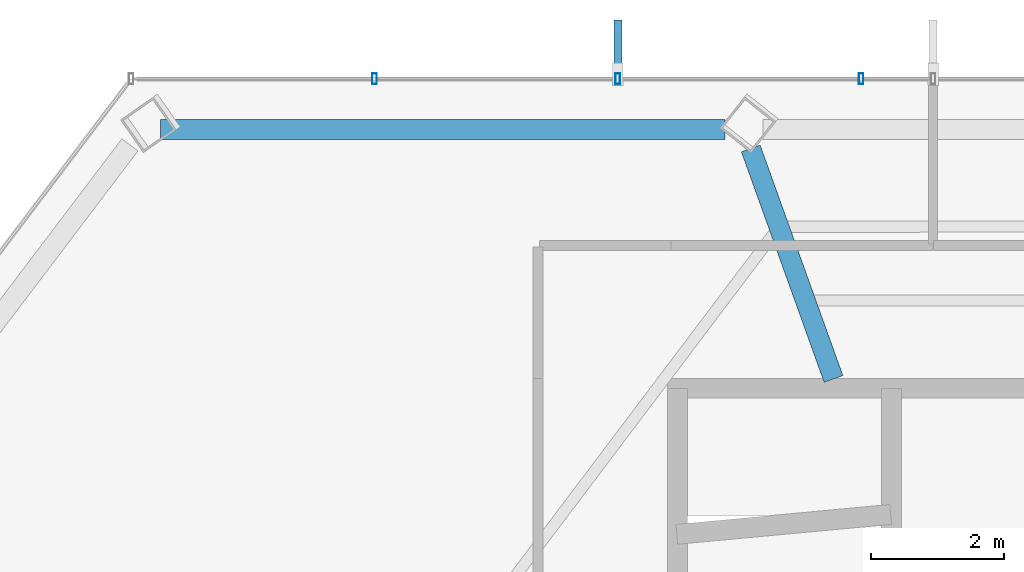
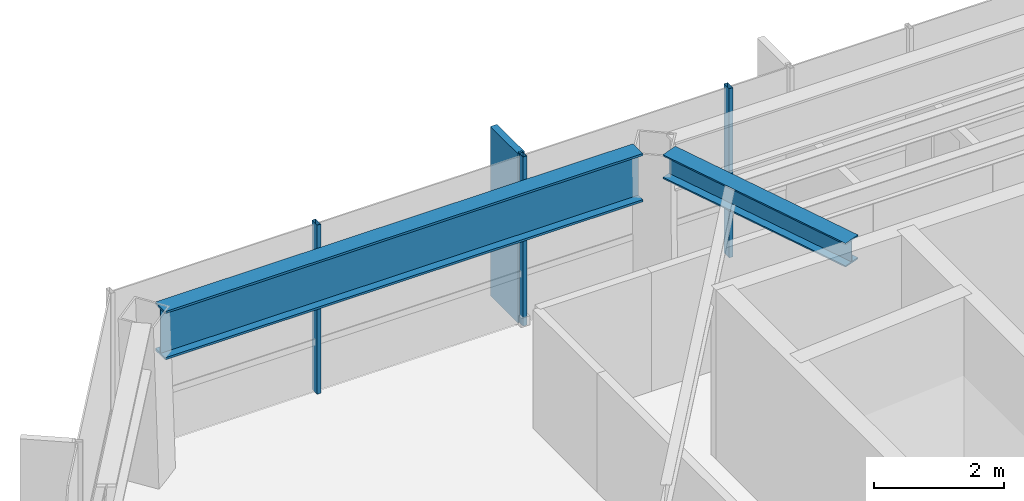
# One storey, part 11 of 25: 4 members, 2 beams, 1 element without a shape of its own.
"""IFC4 building model written with IfcOpenShell, lengths in metres."""

from ifc_helpers import new_model, si_unit, direction, frame, origin, origin_2d, place, context, subcontext, project, spatial, rectangle, hollow_rectangle, i_section, extrude, material, layer, layer_set, material_profile, profile_set, type_object, element, aggregate, save


model = new_model("IFC4")

# Units and contexts
model_context = context("Model", 3, precision=1e-05, world=origin(), true_north=direction((0.0, 1.0)))
body_context = subcontext(model_context, "Body", "Model", "MODEL_VIEW")
ifc_project = project(units=[si_unit("LENGTHUNIT", "METRE"), si_unit("AREAUNIT", "SQUARE_METRE"), si_unit("VOLUMEUNIT", "CUBIC_METRE"), si_unit("PLANEANGLEUNIT", "RADIAN"), si_unit("MASSUNIT", "GRAM", prefix="KILO")], contexts=[model_context])

# Site, building, storey
site_placement = place(None, origin())
site = spatial("IfcSite", under=ifc_project, at=site_placement, CompositionType="ELEMENT")
building_placement = place(site_placement, origin())
building = spatial("IfcBuilding", under=site, at=building_placement, Name="Zarrinselat Tower", CompositionType="ELEMENT")
storey_placement = place(building_placement, frame((0.0, 0.0, 246.159912109375)))
storey = spatial("IfcBuildingStorey", under=building, at=storey_placement, Name="L62", CompositionType="ELEMENT", Elevation=246.159912109375)

# Beams
ifc_material_1 = material(Name="Steel S355J2", Category="steel")
ifc_material_profile_1 = material_profile(ifc_material_1, i_section(OverallWidth=0.300048828125, OverallDepth=0.449951171875, WebThickness=0.013916015625, FlangeThickness=0.02587890625, at=origin_2d()), Name="HEB 450")
ifc_profile_set_1 = profile_set([ifc_material_profile_1], Name="Steel S355J2")
beam_type_1 = type_object("IfcBeamType", Name="BM-HEB450", PredefinedType="BEAM", material=ifc_profile_set_1)
beam_1_placement = place(storey_placement, frame((29.75390625, 47.01025390625, 2.955078125), z_axis=(0.337954990947, -0.941162272987, 0.0), x_axis=(0.941162272987, 0.337954990947, 0.0)))
element("IfcBeam", 1, at=beam_1_placement, inside=storey, type_object=beam_type_1, Name="L62 Radial Primary Girder RG04", PredefinedType="BEAM", context=body_context, shape_type="SweptSolid", body=[
    extrude(i_section(OverallWidth=0.300048828125, OverallDepth=0.449951171875, WebThickness=0.013916015625, FlangeThickness=0.02587890625, at=origin_2d()), origin(), (0.0, 0.0, 1.0), 3.687255859375),
])
ifc_material_2 = material(Name="Steel S460M", Category="steel")
ifc_material_profile_2 = material_profile(ifc_material_2, i_section(OverallWidth=0.302001953125, OverallDepth=0.909912109375, WebThickness=0.02099609375, FlangeThickness=0.0400390625, at=origin_2d()), Name="HEM 900")
ifc_profile_set_2 = profile_set([ifc_material_profile_2], Name="Steel S460M")
beam_type_2 = type_object("IfcBeamType", Name="BM-HEM900", PredefinedType="BEAM", material=ifc_profile_set_2)
beam_2_placement = place(storey_placement, frame((20.86474609375, 47.29443359375, 2.72509765625), z_axis=(1.0, 0.0, 0.0), x_axis=(0.0, 1.0, 0.0)))
element("IfcBeam", 2, at=beam_2_placement, inside=storey, type_object=beam_type_2, Name="L62 Perimeter Spandrel Girder SP04", PredefinedType="BEAM", context=body_context, shape_type="SweptSolid", body=[
    extrude(i_section(OverallWidth=0.302001953125, OverallDepth=0.909912109375, WebThickness=0.02099609375, FlangeThickness=0.0400390625, at=origin_2d()), origin(), (0.0, 0.0, 1.0), 8.4990234375),
])

# Curtain wall, members
ifc_material_3 = material(Name="Extruded Aluminium Alloy EN AW-6063 T6", Category="aluminium")
ifc_layer = layer(ifc_material_3, 0.169921875)
ifc_layer_set = layer_set([ifc_layer], Name="Extruded Aluminium Alloy EN AW-6063 T6")
curtain_wall_type = type_object("IfcCurtainWallType", Name="CWS-RES", PredefinedType="NOTDEFINED", material=ifc_layer_set)
curtain_wall_placement = place(storey_placement, origin())
curtain_wall = element("IfcCurtainWall", 3, at=curtain_wall_placement, inside=storey, type_object=curtain_wall_type, Name="L62 Unitised Curtain Wall CW-L62-E01", PredefinedType="NOTDEFINED")
ifc_material_4 = material(Name="Extruded Aluminium Alloy EN AW-6063 T6", Category="aluminium")
ifc_material_profile_3 = material_profile(ifc_material_4, hollow_rectangle(XDim=0.070068359375, YDim=0.159912109375, WallThickness=0.00390625, at=origin_2d()), Name="RHS 160x70x4")
ifc_profile_set_3 = profile_set([ifc_material_profile_3], Name="Extruded Aluminium Alloy EN AW-6063 T6")
member_type_1 = type_object("IfcMemberType", Name="MEM-CW-MUL2", PredefinedType="MULLION", material=ifc_profile_set_3)
member_1_placement = place(storey_placement, frame((31.415283203125, 48.06103515625, 0.0), z_axis=(0.0, 0.0, 1.0), x_axis=(-1.0, 0.0, 0.0)))
member_1 = element("IfcMember", 4, at=member_1_placement, type_object=member_type_1, Name="CW-L62-E01 Mullion 10", PredefinedType="MULLION", context=body_context, shape_type="SweptSolid", body=[
    extrude(hollow_rectangle(XDim=0.070068359375, YDim=0.159912109375, WallThickness=0.00390625, at=origin_2d()), origin(), (0.0, 0.0, 1.0), 3.18017578125),
])
member_2_placement = place(storey_placement, frame((27.75048828125, 48.06103515625, 0.0), z_axis=(0.0, 0.0, 1.0), x_axis=(-1.0, 0.0, 0.0)))
member_2 = element("IfcMember", 5, at=member_2_placement, type_object=member_type_1, Name="CW-L62-E01 Mullion 11", PredefinedType="MULLION", context=body_context, shape_type="SweptSolid", body=[
    extrude(hollow_rectangle(XDim=0.070068359375, YDim=0.159912109375, WallThickness=0.00390625, at=origin_2d()), origin(), (0.0, 0.0, 1.0), 3.18017578125),
])
member_3_placement = place(storey_placement, frame((24.085693359375, 48.06103515625, 0.0), z_axis=(0.0, 0.0, 1.0), x_axis=(-1.0, 0.0, 0.0)))
member_3 = element("IfcMember", 6, at=member_3_placement, type_object=member_type_1, Name="CW-L62-E01 Mullion 12", PredefinedType="MULLION", context=body_context, shape_type="SweptSolid", body=[
    extrude(hollow_rectangle(XDim=0.070068359375, YDim=0.159912109375, WallThickness=0.00390625, at=origin_2d()), origin(), (0.0, 0.0, 1.0), 3.18017578125),
])
ifc_material_5 = material(Name="Honed Cream Travertine Stone", Category="masonry")
ifc_material_profile_4 = material_profile(ifc_material_5, rectangle(XDim=0.1201171875, YDim=0.85009765625, at=origin_2d()), Name="FIN 850x120")
ifc_profile_set_4 = profile_set([ifc_material_profile_4], Name="Honed Cream Travertine Stone")
member_type_2 = type_object("IfcMemberType", Name="MEM-STONE-FIN", PredefinedType="USERDEFINED", material=ifc_profile_set_4)
member_4_placement = place(storey_placement, frame((27.75048828125, 48.52099609375, 0.0), z_axis=(0.0, 0.0, 1.0), x_axis=(1.0, 0.0, 0.0)))
member_4 = element("IfcMember", 7, at=member_4_placement, type_object=member_type_2, Name="L62 Stone Shading Fin CW-L62-E01-11", ObjectType="FIN", PredefinedType="USERDEFINED", context=body_context, shape_type="SweptSolid", body=[
    extrude(rectangle(XDim=0.1201171875, YDim=0.85009765625, at=origin_2d()), origin(), (0.0, 0.0, 1.0), 3.18017578125),
])
aggregate(curtain_wall, [member_1, member_2, member_4, member_3])

save(model, "model.ifc")
